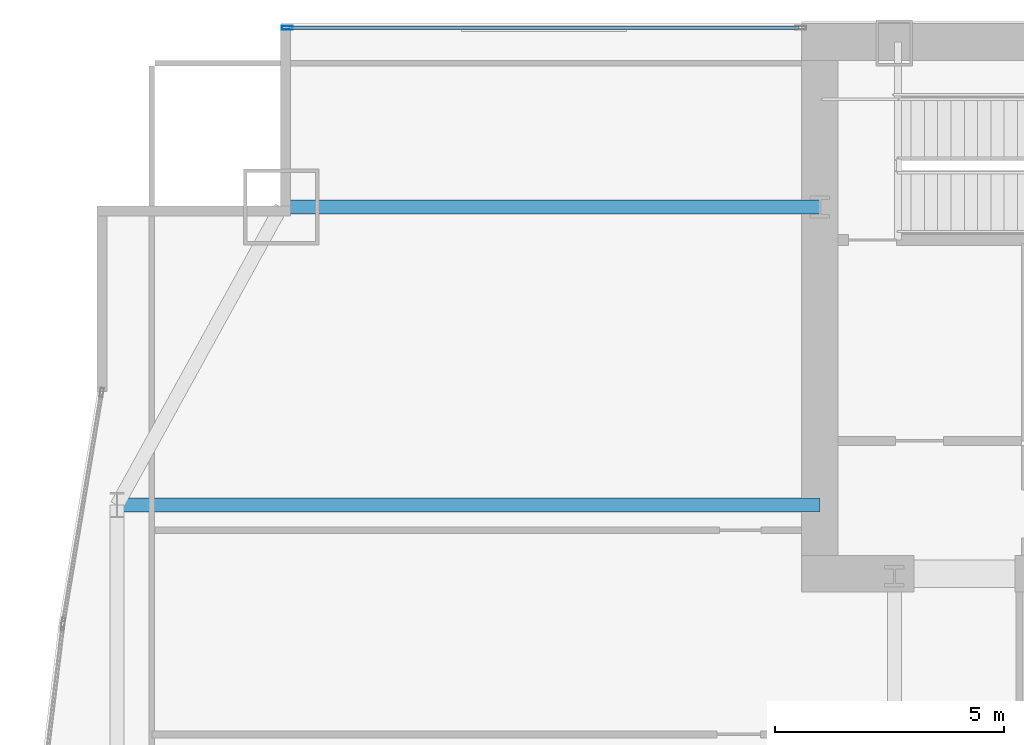
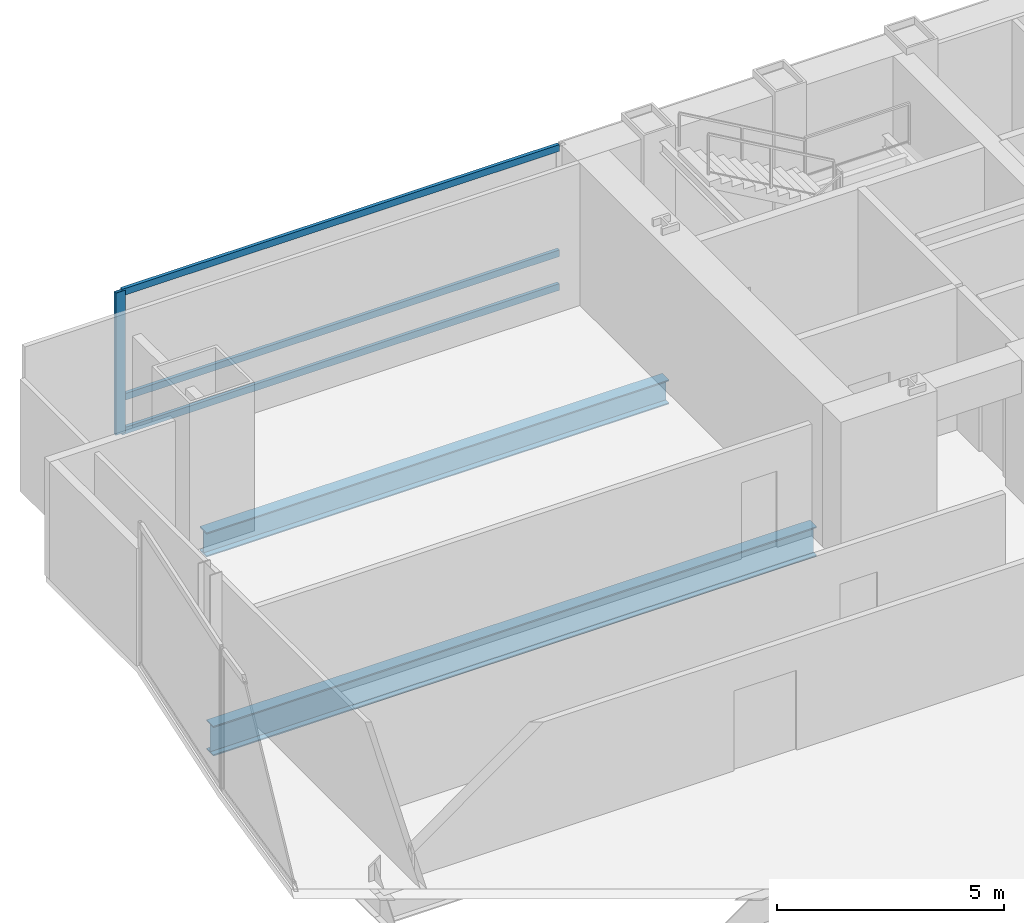
# One storey, part 17 of 32: 4 members, 2 beams, 1 element without a shape of its own.
"""IFC4 building model written with IfcOpenShell, lengths in metres."""

from ifc_helpers import new_model, si_unit, direction, frame, origin, origin_2d, place, context, subcontext, project, spatial, hollow_rectangle, i_section, extrude, material, material_profile, profile_set, type_object, element, aggregate, save


model = new_model("IFC4")

# Units and contexts
model_context = context("Model", 3, precision=1e-05, world=origin(), true_north=direction((0.0, 1.0)))
body_context = subcontext(model_context, "Body", "Model", "MODEL_VIEW")
ifc_project = project(units=[si_unit("LENGTHUNIT", "METRE"), si_unit("AREAUNIT", "SQUARE_METRE"), si_unit("VOLUMEUNIT", "CUBIC_METRE"), si_unit("PLANEANGLEUNIT", "RADIAN"), si_unit("MASSUNIT", "GRAM", prefix="KILO")], contexts=[model_context])

# Site, building, storey
site_placement = place(None, origin())
site = spatial("IfcSite", under=ifc_project, at=site_placement, CompositionType="ELEMENT")
building_placement = place(site_placement, origin())
building = spatial("IfcBuilding", under=site, at=building_placement, Name="Khoronbel Lancet Exchange", CompositionType="ELEMENT")
storey_placement = place(building_placement, frame((0.0, 0.0, 41.800048828125)))
storey = spatial("IfcBuildingStorey", under=building, at=storey_placement, Name="L09", CompositionType="ELEMENT", Elevation=41.800048828125)

# Beams
ifc_material_1 = material(Name="Steel S355", Category="steel")
ifc_material_profile_1 = material_profile(ifc_material_1, i_section(OverallWidth=0.300048828125, OverallDepth=0.800048828125, WebThickness=0.017578125, FlangeThickness=0.032958984375, at=origin_2d()), Name="HEB 800")
ifc_profile_set_1 = profile_set([ifc_material_profile_1], Name="Steel S355")
beam_type_1 = type_object("IfcBeamType", Name="BM-BG2", PredefinedType="BEAM", material=ifc_profile_set_1)
beam_1_placement = place(storey_placement, frame((1.27001953125, 43.199951171875, -0.580078125), z_axis=(1.0, 0.0, 0.0), x_axis=(0.0, 1.0, 0.0)))
element("IfcBeam", 1, at=beam_1_placement, inside=storey, type_object=beam_type_1, Name="Level L09 west lens tie girder LG3W", PredefinedType="BEAM", context=body_context, shape_type="SweptSolid", body=[
    extrude(i_section(OverallWidth=0.300048828125, OverallDepth=0.800048828125, WebThickness=0.017578125, FlangeThickness=0.032958984375, at=origin_2d()), origin(), (0.0, 0.0, 1.0), 15.330078125),
])
ifc_material_profile_2 = material_profile(ifc_material_1, i_section(OverallWidth=0.300048828125, OverallDepth=0.64990234375, WebThickness=0.01611328125, FlangeThickness=0.031005859375, at=origin_2d()), Name="HEB 650")
ifc_profile_set_2 = profile_set([ifc_material_profile_2], Name="Steel S355")
beam_type_2 = type_object("IfcBeamType", Name="BM-BSP1", PredefinedType="SPANDREL", material=ifc_profile_set_2)
beam_2_placement = place(storey_placement, frame((4.85009765625, 49.699951171875, -0.505126953125), z_axis=(1.0, 0.0, 0.0), x_axis=(0.0, 1.0, 0.0)))
element("IfcBeam", 2, at=beam_2_placement, inside=storey, type_object=beam_type_2, Name="Level L09 north flank tie spandrel SP22", PredefinedType="SPANDREL", context=body_context, shape_type="SweptSolid", body=[
    extrude(i_section(OverallWidth=0.300048828125, OverallDepth=0.64990234375, WebThickness=0.01611328125, FlangeThickness=0.031005859375, at=origin_2d()), origin(), (0.0, 0.0, 1.0), 11.75),
])

# Curtain wall, members
ifc_material_2 = material(Name="Low-E Solar Control Insulating Glass", Category="glass")
curtain_wall_type = type_object("IfcCurtainWallType", Name="CW-1", PredefinedType="NOTDEFINED", material=ifc_material_2)
curtain_wall_placement = place(storey_placement, origin())
curtain_wall = element("IfcCurtainWall", 3, at=curtain_wall_placement, inside=storey, type_object=curtain_wall_type, Name="Unitised curtain wall CW-L09-NWFLK", PredefinedType="NOTDEFINED")
ifc_material_3 = material(Name="Bronze-Anodised Aluminium 6063-T6", Category="aluminium")
ifc_material_profile_3 = material_profile(ifc_material_3, hollow_rectangle(XDim=0.0849609375, YDim=0.239990234375, WallThickness=0.006103515625, at=origin_2d()), Name="ALU MULLION 85x240")
ifc_profile_set_3 = profile_set([ifc_material_profile_3], Name="Bronze-Anodised Aluminium 6063-T6")
member_type_1 = type_object("IfcMemberType", Name="MEM-CWM1", PredefinedType="MULLION", material=ifc_profile_set_3)
member_1_placement = place(storey_placement, frame((4.982421875, 53.610107421875, 0.0), z_axis=(0.0, 0.0, 1.0), x_axis=(0.0, -1.0, 0.0)))
member_1 = element("IfcMember", 4, at=member_1_placement, type_object=member_type_1, Name="CW1 mullion 2", PredefinedType="MULLION", context=body_context, shape_type="SweptSolid", body=[
    extrude(hollow_rectangle(XDim=0.0849609375, YDim=0.239990234375, WallThickness=0.006103515625, at=origin_2d()), origin(), (0.0, 0.0, 1.0), 3.820068359375),
])
ifc_material_profile_4 = material_profile(ifc_material_3, hollow_rectangle(XDim=0.0849609375, YDim=0.179931640625, WallThickness=0.0048828125, at=origin_2d()), Name="ALU TRANSOM 85x180")
ifc_profile_set_4 = profile_set([ifc_material_profile_4], Name="Bronze-Anodised Aluminium 6063-T6")
member_type_2 = type_object("IfcMemberType", Name="MEM-CWT1", PredefinedType="USERDEFINED", material=ifc_profile_set_4)
member_2_placement = place(storey_placement, frame((16.135009765625, 53.610107421875, 0.04248046875), z_axis=(-1.0, 0.0, 0.0), x_axis=(0.0, -1.0, 0.0)))
member_2 = element("IfcMember", 5, at=member_2_placement, type_object=member_type_2, Name="CW1 transom 1.1", ObjectType="TRANSOM", PredefinedType="USERDEFINED", context=body_context, shape_type="SweptSolid", body=[
    extrude(hollow_rectangle(XDim=0.0849609375, YDim=0.179931640625, WallThickness=0.0048828125, at=origin_2d()), origin(), (0.0, 0.0, 1.0), 11.110107421875),
])
member_3_placement = place(storey_placement, frame((16.135009765625, 53.610107421875, 0.949951171875), z_axis=(-1.0, 0.0, 0.0), x_axis=(0.0, -1.0, 0.0)))
member_3 = element("IfcMember", 6, at=member_3_placement, type_object=member_type_2, Name="CW1 transom 1.2", ObjectType="TRANSOM", PredefinedType="USERDEFINED", context=body_context, shape_type="SweptSolid", body=[
    extrude(hollow_rectangle(XDim=0.0849609375, YDim=0.179931640625, WallThickness=0.0048828125, at=origin_2d()), origin(), (0.0, 0.0, 1.0), 11.110107421875),
])
member_4_placement = place(storey_placement, frame((16.135009765625, 53.610107421875, 3.77734375), z_axis=(-1.0, 0.0, 0.0), x_axis=(0.0, -1.0, 0.0)))
member_4 = element("IfcMember", 7, at=member_4_placement, type_object=member_type_2, Name="CW1 transom 1.3", ObjectType="TRANSOM", PredefinedType="USERDEFINED", context=body_context, shape_type="SweptSolid", body=[
    extrude(hollow_rectangle(XDim=0.0849609375, YDim=0.179931640625, WallThickness=0.0048828125, at=origin_2d()), origin(), (0.0, 0.0, 1.0), 11.110107421875),
])
aggregate(curtain_wall, [member_1, member_2, member_3, member_4])

save(model, "model.ifc")
